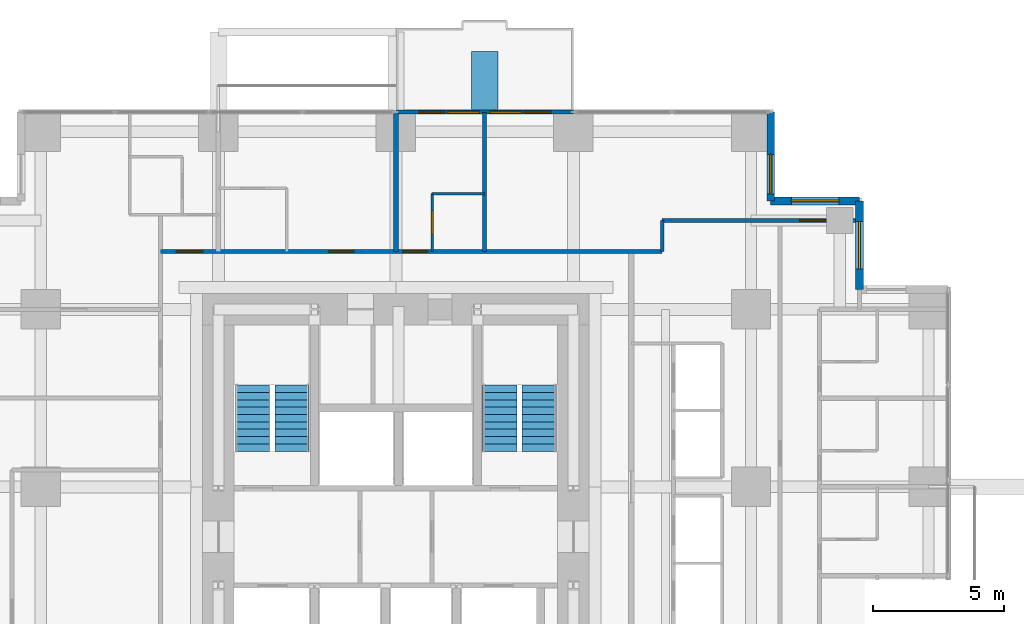
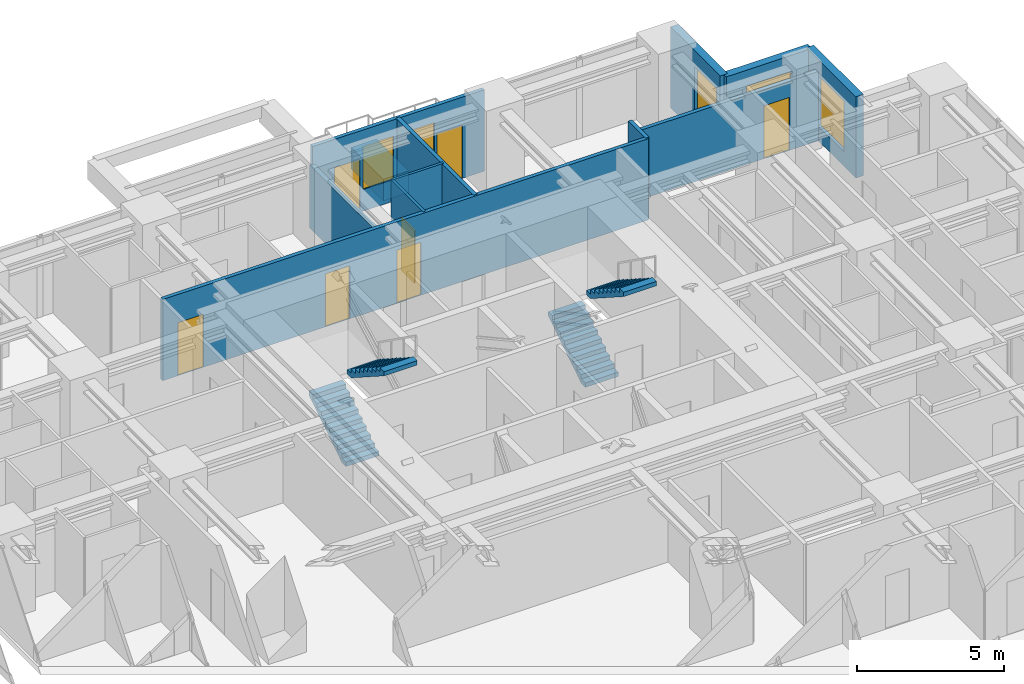
# One storey, part 11 of 12: 12 walls, 7 doors, 5 windows, 4 stair flights, 12 openings, 2 elements without a shape of their own.
"""IFC4 building model written with IfcOpenShell, lengths in metres."""

from ifc_helpers import new_model, si_unit, direction, frame, frame_2d, origin, place, context, subcontext, project, spatial, polyline, rectangle, outline, extrude, material, layer, layer_set, type_object, element, fill, aggregate, save


model = new_model("IFC4")

# Units and contexts
model_context = context("Model", 3, precision=1e-05, world=origin(), true_north=direction((0.0, 1.0)))
body_context = subcontext(model_context, "Body", "Model", "MODEL_VIEW")
ifc_project = project(units=[si_unit("LENGTHUNIT", "METRE"), si_unit("AREAUNIT", "SQUARE_METRE"), si_unit("VOLUMEUNIT", "CUBIC_METRE"), si_unit("PLANEANGLEUNIT", "RADIAN"), si_unit("MASSUNIT", "GRAM", prefix="KILO")], contexts=[model_context])

# Site, building, storey
site_placement = place(None, origin())
site = spatial("IfcSite", under=ifc_project, at=site_placement, CompositionType="ELEMENT")
building_placement = place(site_placement, origin())
building = spatial("IfcBuilding", under=site, at=building_placement, Name="Nyansa Garden Tower", CompositionType="ELEMENT")
storey_placement = place(building_placement, frame((0.0, 0.0, 126.89990234375)))
storey = spatial("IfcBuildingStorey", under=building, at=storey_placement, Name="L34", CompositionType="ELEMENT", Elevation=126.89990234375)

# Wall
ifc_material_1 = material(Name="Dense blockwork, plastered both sides, 55 dB", Category="masonry")
ifc_layer_1 = layer(ifc_material_1, 0.175048828125)
ifc_layer_set_1 = layer_set([ifc_layer_1], Name="Acoustic party wall PW175")
wall_type_1 = type_object("IfcWallType", Name="Acoustic party wall PW175", PredefinedType="PARTITIONING", material=ifc_layer_set_1)
wall_1_placement = place(storey_placement, frame((20.25, 29.199951171875, 0.0), z_axis=(0.0, 0.0, 1.0), x_axis=(0.0, 1.0, 0.0)))
element("IfcWall", 1, at=wall_1_placement, inside=storey, type_object=wall_type_1, Name="Party wall", PredefinedType="PARTITIONING", context=body_context, shape_type="SweptSolid", body=[
    extrude(rectangle(XDim=5.283935546875, YDim=0.175048828125, at=frame_2d((2.64208984375, 0.0))), origin(), (0.0, 0.0, 1.0), 2.610107421875),
])

# Wall, openings, doors, windows
ifc_material_2 = material(Name="Black aluminium framed glazed screen", Category="aluminium")
ifc_layer_2 = layer(ifc_material_2, 0.14990234375)
ifc_layer_set_2 = layer_set([ifc_layer_2], Name="Balcony screen wall BW150")
wall_type_2 = type_object("IfcWallType", Name="Balcony screen wall BW150", PredefinedType="SOLIDWALL", material=ifc_layer_set_2)
wall_2_placement = place(storey_placement, frame((20.25, 34.5, 0.0), z_axis=(0.0, 0.0, 1.0), x_axis=(1.0, 0.0, 0.0)))
wall_2 = element("IfcWall", 2, at=wall_2_placement, inside=storey, type_object=wall_type_2, Name="Glazed screen wall L34 N", PredefinedType="SOLIDWALL", context=body_context, shape_type="SweptSolid", body=[
    extrude(rectangle(XDim=6.75, YDim=0.14990234375, at=frame_2d((3.375, 0.0))), origin(), (0.0, 0.0, 1.0), 3.375),
])
opening_1_placement = place(wall_2_placement, frame((0.862548828125, 0.0, 0.0)))
opening_1 = element("IfcOpeningElement", 3, at=opening_1_placement, cuts=wall_2, Name="Opening D20", PredefinedType="OPENING", context=body_context, shape_type="SweptSolid", body=[
    extrude(rectangle(XDim=1.0, YDim=2.199951171875, at=frame_2d((0.5, 1.10009765625))), frame((0.0, 0.0849609375, 0.0), z_axis=(0.0, -1.0, 0.0), x_axis=(1.0, 0.0, 0.0)), (0.0, 0.0, 1.0), 0.169921875),
])
opening_2_placement = place(wall_2_placement, frame((1.97509765625, 0.0, 0.89990234375)))
opening_2 = element("IfcOpeningElement", 4, at=opening_2_placement, cuts=wall_2, Name="Opening W6", PredefinedType="OPENING", context=body_context, shape_type="SweptSolid", body=[
    extrude(rectangle(XDim=1.199951171875, YDim=1.800048828125, at=frame_2d((0.60009765625, 0.89990234375))), frame((0.0, 0.0849609375, 0.0), z_axis=(0.0, -1.0, 0.0), x_axis=(1.0, 0.0, 0.0)), (0.0, 0.0, 1.0), 0.169921875),
])
opening_3_placement = place(wall_2_placement, frame((4.887451171875, 0.0, 0.0)))
opening_3 = element("IfcOpeningElement", 5, at=opening_3_placement, cuts=wall_2, Name="Opening D20", PredefinedType="OPENING", context=body_context, shape_type="SweptSolid", body=[
    extrude(rectangle(XDim=1.0, YDim=2.199951171875, at=frame_2d((0.5, 1.10009765625))), frame((0.0, 0.0849609375, 0.0), z_axis=(0.0, -1.0, 0.0), x_axis=(1.0, 0.0, 0.0)), (0.0, 0.0, 1.0), 0.169921875),
])
opening_4_placement = place(wall_2_placement, frame((3.574951171875, 0.0, 0.89990234375)))
opening_4 = element("IfcOpeningElement", 6, at=opening_4_placement, cuts=wall_2, Name="Opening W6", PredefinedType="OPENING", context=body_context, shape_type="SweptSolid", body=[
    extrude(rectangle(XDim=1.199951171875, YDim=1.800048828125, at=frame_2d((0.60009765625, 0.89990234375))), frame((0.0, 0.0849609375, 0.0), z_axis=(0.0, -1.0, 0.0), x_axis=(1.0, 0.0, 0.0)), (0.0, 0.0, 1.0), 0.169921875),
])
ifc_material_3 = material(Name="Black aluminium framed glazed door", Category="aluminium")
door_type_1 = type_object("IfcDoorType", Name="Balcony door D20 1000x2200", OperationType="NOTDEFINED", PredefinedType="DOOR", material=ifc_material_3)
door_1_placement = place(opening_1_placement, origin())
door_1 = element("IfcDoor", 7, at=door_1_placement, inside=storey, type_object=door_type_1, Name="Balcony door L34", OperationType="SINGLE_SWING_LEFT", OverallHeight=2.199951171875, OverallWidth=1.0, PredefinedType="DOOR", context=body_context, shape_type="SweptSolid", body=[
    extrude(rectangle(XDim=1.0, YDim=2.199951171875, at=frame_2d((0.5, 1.10009765625))), frame((0.0, 0.02490234375, 0.0), z_axis=(0.0, -1.0, 0.0), x_axis=(1.0, 0.0, 0.0)), (0.0, 0.0, 1.0), 0.050048828125),
])
fill(opening_1, door_1)
door_2_placement = place(opening_3_placement, origin())
door_2 = element("IfcDoor", 8, at=door_2_placement, inside=storey, type_object=door_type_1, Name="Balcony door L34", OperationType="SINGLE_SWING_RIGHT", OverallHeight=2.199951171875, OverallWidth=1.0, PredefinedType="DOOR", context=body_context, shape_type="SweptSolid", body=[
    extrude(rectangle(XDim=1.0, YDim=2.199951171875, at=frame_2d((0.5, 1.10009765625))), frame((0.0, 0.02490234375, 0.0), z_axis=(0.0, -1.0, 0.0), x_axis=(1.0, 0.0, 0.0)), (0.0, 0.0, 1.0), 0.050048828125),
])
fill(opening_3, door_2)
ifc_material_4 = material(Name="Black aluminium frame, dark tinted double glazing", Category="aluminium")
window_type_1 = type_object("IfcWindowType", Name="Balcony window W6 1200x1800", PartitioningType="SINGLE_PANEL", PredefinedType="WINDOW", material=ifc_material_4)
window_1_placement = place(opening_2_placement, origin())
window_1 = element("IfcWindow", 9, at=window_1_placement, inside=storey, type_object=window_type_1, Name="Window L34", OverallHeight=1.800048828125, OverallWidth=1.199951171875, PartitioningType="SINGLE_PANEL", PredefinedType="WINDOW", context=body_context, shape_type="SweptSolid", body=[
    extrude(rectangle(XDim=1.199951171875, YDim=1.800048828125, at=frame_2d((0.60009765625, 0.89990234375))), frame((0.0, 0.030029296875, 0.0), z_axis=(0.0, -1.0, 0.0), x_axis=(1.0, 0.0, 0.0)), (0.0, 0.0, 1.0), 0.06005859375),
])
fill(opening_2, window_1)
window_2_placement = place(opening_4_placement, origin())
window_2 = element("IfcWindow", 10, at=window_2_placement, inside=storey, type_object=window_type_1, Name="Window L34", OverallHeight=1.800048828125, OverallWidth=1.199951171875, PartitioningType="SINGLE_PANEL", PredefinedType="WINDOW", context=body_context, shape_type="SweptSolid", body=[
    extrude(rectangle(XDim=1.199951171875, YDim=1.800048828125, at=frame_2d((0.60009765625, 0.89990234375))), frame((0.0, 0.030029296875, 0.0), z_axis=(0.0, -1.0, 0.0), x_axis=(1.0, 0.0, 0.0)), (0.0, 0.0, 1.0), 0.06005859375),
])
fill(opening_4, window_2)

# Wall, openings, doors
ifc_material_5 = material(Name="Blockwork, plastered both sides", Category="masonry")
ifc_layer_3 = layer(ifc_material_5, 0.14990234375)
ifc_layer_set_3 = layer_set([ifc_layer_3], Name="Partition PW150")
wall_type_3 = type_object("IfcWallType", Name="Partition PW150", PredefinedType="PARTITIONING", material=ifc_layer_set_3)
wall_3_placement = place(storey_placement, frame((11.300048828125, 29.199951171875, 0.0), z_axis=(0.0, 0.0, 1.0), x_axis=(1.0, 0.0, 0.0)))
wall_3 = element("IfcWall", 11, at=wall_3_placement, inside=storey, type_object=wall_type_3, Name="Partition", PredefinedType="PARTITIONING", context=body_context, shape_type="SweptSolid", body=[
    extrude(rectangle(XDim=19.074951171875, YDim=0.14990234375, at=frame_2d((9.53759765625, 0.0))), origin(), (0.0, 0.0, 1.0), 3.375),
])
opening_5_placement = place(wall_3_placement, frame((6.39990234375, 0.0, 0.0)))
opening_5 = element("IfcOpeningElement", 12, at=opening_5_placement, cuts=wall_3, Name="Opening D14", PredefinedType="OPENING", context=body_context, shape_type="SweptSolid", body=[
    extrude(rectangle(XDim=0.949951171875, YDim=2.199951171875, at=frame_2d((0.47509765625, 1.10009765625))), frame((0.0, 0.0849609375, 0.0), z_axis=(0.0, -1.0, 0.0), x_axis=(1.0, 0.0, 0.0)), (0.0, 0.0, 1.0), 0.169921875),
])
opening_6_placement = place(wall_3_placement, frame((9.199951171875, 0.0, 0.0)))
opening_6 = element("IfcOpeningElement", 13, at=opening_6_placement, cuts=wall_3, Name="Opening D14", PredefinedType="OPENING", context=body_context, shape_type="SweptSolid", body=[
    extrude(rectangle(XDim=0.949951171875, YDim=2.199951171875, at=frame_2d((0.47509765625, 1.10009765625))), frame((0.0, 0.0849609375, 0.0), z_axis=(0.0, -1.0, 0.0), x_axis=(1.0, 0.0, 0.0)), (0.0, 0.0, 1.0), 0.169921875),
])
opening_7_placement = place(wall_3_placement, frame((0.60009765625, 0.0, 0.0)))
opening_7 = element("IfcOpeningElement", 14, at=opening_7_placement, cuts=wall_3, Name="Opening D03", PredefinedType="OPENING", context=body_context, shape_type="SweptSolid", body=[
    extrude(rectangle(XDim=1.0, YDim=2.199951171875, at=frame_2d((0.5, 1.10009765625))), frame((0.0, 0.0849609375, 0.0), z_axis=(0.0, -1.0, 0.0), x_axis=(1.0, 0.0, 0.0)), (0.0, 0.0, 1.0), 0.169921875),
])
ifc_material_6 = material(Name="Timber flush door, 60 minute fire resisting", Category="wood")
door_type_2 = type_object("IfcDoorType", Name="Cluster entrance door D03 1000x2200", OperationType="SINGLE_SWING_LEFT", PredefinedType="DOOR", material=ifc_material_6)
door_3_placement = place(opening_7_placement, origin())
door_3 = element("IfcDoor", 15, at=door_3_placement, inside=storey, type_object=door_type_2, Name="Door L34-050", OperationType="SINGLE_SWING_LEFT", OverallHeight=2.199951171875, OverallWidth=1.0, PredefinedType="DOOR", context=body_context, shape_type="SweptSolid", body=[
    extrude(rectangle(XDim=1.0, YDim=2.199951171875, at=frame_2d((0.5, 1.10009765625))), frame((0.0, 0.02490234375, 0.0), z_axis=(0.0, -1.0, 0.0), x_axis=(1.0, 0.0, 0.0)), (0.0, 0.0, 1.0), 0.050048828125),
])
fill(opening_7, door_3)
ifc_material_7 = material(Name="Timber flush door, 60 minute fire resisting, self-closing", Category="wood")
door_type_3 = type_object("IfcDoorType", Name="Studio entrance door D14 950x2200", OperationType="SINGLE_SWING_LEFT", PredefinedType="DOOR", material=ifc_material_7)
door_4_placement = place(opening_5_placement, origin())
door_4 = element("IfcDoor", 16, at=door_4_placement, inside=storey, type_object=door_type_3, Name="Door L34-044", OperationType="SINGLE_SWING_LEFT", OverallHeight=2.199951171875, OverallWidth=0.949951171875, PredefinedType="DOOR", context=body_context, shape_type="SweptSolid", body=[
    extrude(rectangle(XDim=0.949951171875, YDim=2.199951171875, at=frame_2d((0.47509765625, 1.10009765625))), frame((0.0, 0.02490234375, 0.0), z_axis=(0.0, -1.0, 0.0), x_axis=(1.0, 0.0, 0.0)), (0.0, 0.0, 1.0), 0.050048828125),
])
fill(opening_5, door_4)
door_5_placement = place(opening_6_placement, origin())
door_5 = element("IfcDoor", 17, at=door_5_placement, inside=storey, type_object=door_type_3, Name="Door L34-048", OperationType="SINGLE_SWING_LEFT", OverallHeight=2.199951171875, OverallWidth=0.949951171875, PredefinedType="DOOR", context=body_context, shape_type="SweptSolid", body=[
    extrude(rectangle(XDim=0.949951171875, YDim=2.199951171875, at=frame_2d((0.47509765625, 1.10009765625))), frame((0.0, 0.02490234375, 0.0), z_axis=(0.0, -1.0, 0.0), x_axis=(1.0, 0.0, 0.0)), (0.0, 0.0, 1.0), 0.050048828125),
])
fill(opening_6, door_5)

# Walls
wall_4_placement = place(storey_placement, frame((23.625, 29.199951171875, 0.0), z_axis=(0.0, 0.0, 1.0), x_axis=(0.0, 1.0, 0.0)))
element("IfcWall", 18, at=wall_4_placement, inside=storey, type_object=wall_type_3, Name="Partition", PredefinedType="PARTITIONING", context=body_context, shape_type="SweptSolid", body=[
    extrude(rectangle(XDim=5.283935546875, YDim=0.14990234375, at=frame_2d((2.64208984375, 0.0))), origin(), (0.0, 0.0, 1.0), 3.375),
])
wall_5_placement = place(storey_placement, frame((30.375, 29.199951171875, 0.0), z_axis=(0.0, 0.0, 1.0), x_axis=(0.0, 1.0, 0.0)))
element("IfcWall", 19, at=wall_5_placement, inside=storey, type_object=wall_type_3, Name="Partition", PredefinedType="PARTITIONING", context=body_context, shape_type="SweptSolid", body=[
    extrude(rectangle(XDim=1.175048828125, YDim=0.14990234375, at=frame_2d((0.58740234375, 0.0))), origin(), (0.0, 0.0, 1.0), 3.375),
])

# Wall, opening, door
wall_6_placement = place(storey_placement, frame((30.375, 30.375, 0.0), z_axis=(0.0, 0.0, 1.0), x_axis=(1.0, 0.0, 0.0)))
wall_6 = element("IfcWall", 20, at=wall_6_placement, inside=storey, type_object=wall_type_3, Name="Partition", PredefinedType="PARTITIONING", context=body_context, shape_type="SweptSolid", body=[
    extrude(rectangle(XDim=7.35009765625, YDim=0.14990234375, at=frame_2d((3.675048828125, 0.0))), origin(), (0.0, 0.0, 1.0), 2.877197265625),
])
opening_8_placement = place(wall_6_placement, frame((5.22509765625, 0.0, 0.0)))
opening_8 = element("IfcOpeningElement", 21, at=opening_8_placement, cuts=wall_6, Name="Opening D03", PredefinedType="OPENING", context=body_context, shape_type="SweptSolid", body=[
    extrude(rectangle(XDim=1.0, YDim=2.199951171875, at=frame_2d((0.5, 1.10009765625))), frame((0.0, 0.0849609375, 0.0), z_axis=(0.0, -1.0, 0.0), x_axis=(1.0, 0.0, 0.0)), (0.0, 0.0, 1.0), 0.169921875),
])
door_6_placement = place(opening_8_placement, origin())
door_6 = element("IfcDoor", 22, at=door_6_placement, inside=storey, type_object=door_type_2, Name="Door L34-043", OperationType="SINGLE_SWING_LEFT", OverallHeight=2.199951171875, OverallWidth=1.0, PredefinedType="DOOR", context=body_context, shape_type="SweptSolid", body=[
    extrude(rectangle(XDim=1.0, YDim=2.199951171875, at=frame_2d((0.5, 1.10009765625))), frame((0.0, 0.02490234375, 0.0), z_axis=(0.0, -1.0, 0.0), x_axis=(1.0, 0.0, 0.0)), (0.0, 0.0, 1.0), 0.050048828125),
])
fill(opening_8, door_6)

# Wall, opening, window
ifc_material_8 = material(Name="Turquoise glazed tile on concrete blockwork", Category="masonry")
ifc_layer_4 = layer(ifc_material_8, 0.300048828125)
ifc_layer_set_4 = layer_set([ifc_layer_4], Name="Tiled corner wall TW300")
wall_type_4 = type_object("IfcWallType", Name="Tiled corner wall TW300", PredefinedType="SOLIDWALL", material=ifc_layer_set_4)
wall_7_placement = place(storey_placement, frame((37.875, 27.75, 0.0), z_axis=(0.0, 0.0, 1.0), x_axis=(0.0, 1.0, 0.0)))
wall_7 = element("IfcWall", 23, at=wall_7_placement, inside=storey, type_object=wall_type_4, Name="Tiled corner wall L34", PredefinedType="SOLIDWALL", context=body_context, shape_type="SweptSolid", body=[
    extrude(rectangle(XDim=3.375, YDim=0.300048828125, at=frame_2d((1.6875, 0.0))), origin(), (0.0, 0.0, 1.0), 3.375),
])
opening_9_placement = place(wall_7_placement, frame((0.78759765625, 0.0, 0.60009765625)))
opening_9 = element("IfcOpeningElement", 24, at=opening_9_placement, cuts=wall_7, Name="Opening W2", PredefinedType="OPENING", context=body_context, shape_type="SweptSolid", body=[
    extrude(rectangle(XDim=1.800048828125, YDim=2.10009765625, at=frame_2d((0.89990234375, 1.050048828125))), frame((0.0, 0.159912109375, 0.0), z_axis=(0.0, -1.0, 0.0), x_axis=(1.0, 0.0, 0.0)), (0.0, 0.0, 1.0), 0.320068359375),
])
ifc_material_9 = material(Name="Black aluminium frame, dark tinted double glazing", Category="aluminium")
window_type_2 = type_object("IfcWindowType", Name="Window W2 1800x2100", PartitioningType="SINGLE_PANEL", PredefinedType="WINDOW", material=ifc_material_9)
window_3_placement = place(opening_9_placement, origin())
window_3 = element("IfcWindow", 25, at=window_3_placement, inside=storey, type_object=window_type_2, Name="Corner window L34", OverallHeight=2.10009765625, OverallWidth=1.800048828125, PartitioningType="SINGLE_PANEL", PredefinedType="WINDOW", context=body_context, shape_type="SweptSolid", body=[
    extrude(rectangle(XDim=1.800048828125, YDim=2.10009765625, at=frame_2d((0.89990234375, 1.050048828125))), frame((0.0, 0.030029296875, 0.0), z_axis=(0.0, -1.0, 0.0), x_axis=(1.0, 0.0, 0.0)), (0.0, 0.0, 1.0), 0.06005859375),
])
fill(opening_9, window_3)

wall_8_placement = place(storey_placement, frame((37.875, 31.125, 0.0), z_axis=(0.0, 0.0, 1.0), x_axis=(-1.0, 0.0, 0.0)))
wall_8 = element("IfcWall", 26, at=wall_8_placement, inside=storey, type_object=wall_type_4, Name="Tiled corner wall L34", PredefinedType="SOLIDWALL", context=body_context, shape_type="SweptSolid", body=[
    extrude(rectangle(XDim=3.375, YDim=0.300048828125, at=frame_2d((1.6875, 0.0))), origin(), (0.0, 0.0, 1.0), 3.375),
])
opening_10_placement = place(wall_8_placement, frame((0.78759765625, 0.0, 0.60009765625)))
opening_10 = element("IfcOpeningElement", 27, at=opening_10_placement, cuts=wall_8, Name="Opening W2", PredefinedType="OPENING", context=body_context, shape_type="SweptSolid", body=[
    extrude(rectangle(XDim=1.800048828125, YDim=2.10009765625, at=frame_2d((0.89990234375, 1.050048828125))), frame((0.0, 0.159912109375, 0.0), z_axis=(0.0, -1.0, 0.0), x_axis=(1.0, 0.0, 0.0)), (0.0, 0.0, 1.0), 0.320068359375),
])
window_4_placement = place(opening_10_placement, origin())
window_4 = element("IfcWindow", 28, at=window_4_placement, inside=storey, type_object=window_type_2, Name="Corner window L34", OverallHeight=2.10009765625, OverallWidth=1.800048828125, PartitioningType="SINGLE_PANEL", PredefinedType="WINDOW", context=body_context, shape_type="SweptSolid", body=[
    extrude(rectangle(XDim=1.800048828125, YDim=2.10009765625, at=frame_2d((0.89990234375, 1.050048828125))), frame((0.0, 0.030029296875, 0.0), z_axis=(0.0, -1.0, 0.0), x_axis=(1.0, 0.0, 0.0)), (0.0, 0.0, 1.0), 0.06005859375),
])
fill(opening_10, window_4)

wall_9_placement = place(storey_placement, frame((34.5, 31.125, 0.0), z_axis=(0.0, 0.0, 1.0), x_axis=(0.0, 1.0, 0.0)))
wall_9 = element("IfcWall", 29, at=wall_9_placement, inside=storey, type_object=wall_type_4, Name="Tiled corner wall L34", PredefinedType="SOLIDWALL", context=body_context, shape_type="SweptSolid", body=[
    extrude(rectangle(XDim=3.375, YDim=0.300048828125, at=frame_2d((1.6875, 0.0))), origin(), (0.0, 0.0, 1.0), 3.375),
])
opening_11_placement = place(wall_9_placement, frame((0.267578125, 0.0, 0.89990234375)))
opening_11 = element("IfcOpeningElement", 30, at=opening_11_placement, cuts=wall_9, Name="Opening W1", PredefinedType="OPENING", context=body_context, shape_type="SweptSolid", body=[
    extrude(rectangle(XDim=1.5, YDim=1.800048828125, at=frame_2d((0.75, 0.89990234375))), frame((0.0, 0.159912109375, 0.0), z_axis=(0.0, -1.0, 0.0), x_axis=(1.0, 0.0, 0.0)), (0.0, 0.0, 1.0), 0.320068359375),
])
ifc_material_10 = material(Name="Black aluminium frame, dark tinted double glazing", Category="aluminium")
window_type_3 = type_object("IfcWindowType", Name="Window W1 1500x1800", PartitioningType="SINGLE_PANEL", PredefinedType="WINDOW", material=ifc_material_10)
window_5_placement = place(opening_11_placement, origin())
window_5 = element("IfcWindow", 31, at=window_5_placement, inside=storey, type_object=window_type_3, Name="Corner window L34", OverallHeight=1.800048828125, OverallWidth=1.5, PartitioningType="SINGLE_PANEL", PredefinedType="WINDOW", context=body_context, shape_type="SweptSolid", body=[
    extrude(rectangle(XDim=1.5, YDim=1.800048828125, at=frame_2d((0.75, 0.89990234375))), frame((0.0, 0.030029296875, 0.0), z_axis=(0.0, -1.0, 0.0), x_axis=(1.0, 0.0, 0.0)), (0.0, 0.0, 1.0), 0.06005859375),
])
fill(opening_11, window_5)

# Wall
ifc_material_11 = material(Name="Concrete C40/50 planter, waterproofed", Category="concrete")
ifc_layer_5 = layer(ifc_material_11, 1.0)
ifc_layer_set_5 = layer_set([ifc_layer_5], Name="Tree planter TP1")
wall_type_5 = type_object("IfcWallType", Name="Tree planter TP1", PredefinedType="USERDEFINED", material=ifc_layer_set_5)
wall_10_placement = place(storey_placement, frame((23.625, 34.60009765625, 0.0), z_axis=(0.0, 0.0, 1.0), x_axis=(0.0, 1.0, 0.0)))
element("IfcWall", 32, at=wall_10_placement, inside=storey, type_object=wall_type_5, Name="Tree planter L34", ObjectType="TREE PLANTER", PredefinedType="USERDEFINED", context=body_context, shape_type="SweptSolid", body=[
    extrude(rectangle(XDim=2.199951171875, YDim=1.0, at=frame_2d((1.10009765625, 0.0))), origin(), (0.0, 0.0, 1.0), 0.900146484375),
])

# Wall, opening, door
ifc_material_12 = material(Name="Moisture resistant board on steel studs, tiled", Category="steel")
ifc_layer_6 = layer(ifc_material_12, 0.10009765625)
ifc_layer_set_6 = layer_set([ifc_layer_6], Name="Wet wall PW100")
wall_type_6 = type_object("IfcWallType", Name="Wet wall PW100", PredefinedType="PARTITIONING", material=ifc_layer_set_6)
wall_11_placement = place(storey_placement, frame((21.625, 29.199951171875, 0.0), z_axis=(0.0, 0.0, 1.0), x_axis=(0.0, 1.0, 0.0)))
wall_11 = element("IfcWall", 33, at=wall_11_placement, inside=storey, type_object=wall_type_6, Name="Wet wall", PredefinedType="PARTITIONING", context=body_context, shape_type="SweptSolid", body=[
    extrude(rectangle(XDim=2.199951171875, YDim=0.10009765625, at=frame_2d((1.10009765625, 0.0))), origin(), (0.0, 0.0, 1.0), 3.375),
])
opening_12_placement = place(wall_11_placement, frame((0.64990234375, 0.0, 0.0)))
opening_12 = element("IfcOpeningElement", 34, at=opening_12_placement, cuts=wall_11, Name="Opening D02", PredefinedType="OPENING", context=body_context, shape_type="SweptSolid", body=[
    extrude(rectangle(XDim=0.89990234375, YDim=2.199951171875, at=frame_2d((0.449951171875, 1.10009765625))), frame((0.0, 0.06005859375, 0.0), z_axis=(0.0, -1.0, 0.0), x_axis=(1.0, 0.0, 0.0)), (0.0, 0.0, 1.0), 0.1201171875),
])
ifc_material_13 = material(Name="Timber flush door", Category="wood")
door_type_4 = type_object("IfcDoorType", Name="En-suite door D02 900x2200", OperationType="SINGLE_SWING_RIGHT", PredefinedType="DOOR", material=ifc_material_13)
door_7_placement = place(opening_12_placement, origin())
door_7 = element("IfcDoor", 35, at=door_7_placement, inside=storey, type_object=door_type_4, Name="Door L34-049", OperationType="SINGLE_SWING_RIGHT", OverallHeight=2.199951171875, OverallWidth=0.89990234375, PredefinedType="DOOR", context=body_context, shape_type="SweptSolid", body=[
    extrude(rectangle(XDim=0.89990234375, YDim=2.199951171875, at=frame_2d((0.449951171875, 1.10009765625))), frame((0.0, 0.02490234375, 0.0), z_axis=(0.0, -1.0, 0.0), x_axis=(1.0, 0.0, 0.0)), (0.0, 0.0, 1.0), 0.050048828125),
])
fill(opening_12, door_7)

# Wall
wall_12_placement = place(storey_placement, frame((21.625, 31.39990234375, 0.0), z_axis=(0.0, 0.0, 1.0), x_axis=(1.0, 0.0, 0.0)))
element("IfcWall", 36, at=wall_12_placement, inside=storey, type_object=wall_type_6, Name="Wet wall", PredefinedType="PARTITIONING", context=body_context, shape_type="SweptSolid", body=[
    extrude(rectangle(XDim=2.0, YDim=0.10009765625, at=frame_2d((1.0, 0.0))), origin(), (0.0, 0.0, 1.0), 3.375),
])

# Stair, stair flights
ifc_material_14 = material(Name="Precast concrete C40/50", Category="concrete")
stair_type_1 = type_object("IfcStairType", Name="Stair S1 180x280", PredefinedType="HALF_TURN_STAIR", material=ifc_material_14)
stair_1_placement = place(storey_placement, origin())
stair_1 = element("IfcStair", 37, at=stair_1_placement, inside=storey, type_object=stair_type_1, Name="Stair S1 L34", PredefinedType="HALF_TURN_STAIR")
ifc_material_15 = material(Name="Precast concrete C40/50", Category="concrete")
stair_flight_type_1 = type_object("IfcStairFlightType", Name="Stair flight S1 180x280x10", PredefinedType="STRAIGHT", material=ifc_material_15)
stair_flight_1_placement = place(storey_placement, frame((14.800048828125, 21.60009765625, 0.0), z_axis=(0.0, 0.0, 1.0), x_axis=(0.0, 1.0, 0.0)))
stair_flight_1 = element("IfcStairFlight", 38, at=stair_flight_1_placement, type_object=stair_flight_type_1, Name="S1 flight 1", NumberOfRisers=10, NumberOfTreads=9, PredefinedType="STRAIGHT", RiserHeight=0.18, TreadLength=0.28, context=body_context, shape_type="SweptSolid", body=[
    extrude(outline(polyline([(0.0, 0.0), (0.0, 0.179931640625), (0.280029296875, 0.179931640625), (0.280029296875, 0.360107421875), (0.56005859375, 0.360107421875), (0.56005859375, 0.5400390625), (0.840087890625, 0.5400390625), (0.840087890625, 0.719970703125), (1.1201171875, 0.719970703125), (1.1201171875, 0.89990234375), (1.39990234375, 0.89990234375), (1.39990234375, 1.080078125), (1.679931640625, 1.080078125), (1.679931640625, 1.260009765625), (1.9599609375, 1.260009765625), (1.9599609375, 1.43994140625), (2.239990234375, 1.43994140625), (2.239990234375, 1.6201171875), (2.52001953125, 1.6201171875), (2.52001953125, 1.800048828125), (2.52001953125, 1.44189453125), (0.277099609375, 0.0), (0.0, 0.0)])), frame((0.0, 0.64990234375, 0.0), z_axis=(0.0, -1.0, 0.0), x_axis=(1.0, 0.0, 0.0)), (0.0, 0.0, 1.0), 1.300048828125),
])
stair_flight_2_placement = place(storey_placement, frame((16.300048828125, 24.1201171875, 1.800048828125), z_axis=(0.0, 0.0, 1.0), x_axis=(0.0, -1.0, 0.0)))
stair_flight_2 = element("IfcStairFlight", 39, at=stair_flight_2_placement, type_object=stair_flight_type_1, Name="S1 flight 2", NumberOfRisers=10, NumberOfTreads=9, PredefinedType="STRAIGHT", RiserHeight=0.18, TreadLength=0.28, context=body_context, shape_type="SweptSolid", body=[
    extrude(outline(polyline([(0.0, 0.0), (0.0, 0.179931640625), (0.280029296875, 0.179931640625), (0.280029296875, 0.360107421875), (0.56005859375, 0.360107421875), (0.56005859375, 0.5400390625), (0.840087890625, 0.5400390625), (0.840087890625, 0.719970703125), (1.1201171875, 0.719970703125), (1.1201171875, 0.89990234375), (1.39990234375, 0.89990234375), (1.39990234375, 1.080078125), (1.679931640625, 1.080078125), (1.679931640625, 1.260009765625), (1.9599609375, 1.260009765625), (1.9599609375, 1.43994140625), (2.239990234375, 1.43994140625), (2.239990234375, 1.6201171875), (2.52001953125, 1.6201171875), (2.52001953125, 1.800048828125), (2.52001953125, 1.44189453125), (0.277099609375, 0.0), (0.0, 0.0)])), frame((0.0, 0.64990234375, 0.0), z_axis=(0.0, -1.0, 0.0), x_axis=(1.0, 0.0, 0.0)), (0.0, 0.0, 1.0), 1.300048828125),
])
aggregate(stair_1, [stair_flight_1, stair_flight_2])

ifc_material_16 = material(Name="Precast concrete C40/50", Category="concrete")
stair_type_2 = type_object("IfcStairType", Name="Stair S2 180x280", PredefinedType="HALF_TURN_STAIR", material=ifc_material_16)
stair_2_placement = place(storey_placement, origin())
stair_2 = element("IfcStair", 40, at=stair_2_placement, inside=storey, type_object=stair_type_2, Name="Stair S2 L34", PredefinedType="HALF_TURN_STAIR")
ifc_material_17 = material(Name="Precast concrete C40/50", Category="concrete")
stair_flight_type_2 = type_object("IfcStairFlightType", Name="Stair flight S2 180x280x10", PredefinedType="STRAIGHT", material=ifc_material_17)
stair_flight_3_placement = place(storey_placement, frame((24.199951171875, 21.60009765625, 0.0), z_axis=(0.0, 0.0, 1.0), x_axis=(0.0, 1.0, 0.0)))
stair_flight_3 = element("IfcStairFlight", 41, at=stair_flight_3_placement, type_object=stair_flight_type_2, Name="S2 flight 1", NumberOfRisers=10, NumberOfTreads=9, PredefinedType="STRAIGHT", RiserHeight=0.18, TreadLength=0.28, context=body_context, shape_type="SweptSolid", body=[
    extrude(outline(polyline([(0.0, 0.0), (0.0, 0.179931640625), (0.280029296875, 0.179931640625), (0.280029296875, 0.360107421875), (0.56005859375, 0.360107421875), (0.56005859375, 0.5400390625), (0.840087890625, 0.5400390625), (0.840087890625, 0.719970703125), (1.1201171875, 0.719970703125), (1.1201171875, 0.89990234375), (1.39990234375, 0.89990234375), (1.39990234375, 1.080078125), (1.679931640625, 1.080078125), (1.679931640625, 1.260009765625), (1.9599609375, 1.260009765625), (1.9599609375, 1.43994140625), (2.239990234375, 1.43994140625), (2.239990234375, 1.6201171875), (2.52001953125, 1.6201171875), (2.52001953125, 1.800048828125), (2.52001953125, 1.44189453125), (0.277099609375, 0.0), (0.0, 0.0)])), frame((0.0, 0.64990234375, 0.0), z_axis=(0.0, -1.0, 0.0), x_axis=(1.0, 0.0, 0.0)), (0.0, 0.0, 1.0), 1.300048828125),
])
stair_flight_4_placement = place(storey_placement, frame((25.699951171875, 24.1201171875, 1.800048828125), z_axis=(0.0, 0.0, 1.0), x_axis=(0.0, -1.0, 0.0)))
stair_flight_4 = element("IfcStairFlight", 42, at=stair_flight_4_placement, type_object=stair_flight_type_2, Name="S2 flight 2", NumberOfRisers=10, NumberOfTreads=9, PredefinedType="STRAIGHT", RiserHeight=0.18, TreadLength=0.28, context=body_context, shape_type="SweptSolid", body=[
    extrude(outline(polyline([(0.0, 0.0), (0.0, 0.179931640625), (0.280029296875, 0.179931640625), (0.280029296875, 0.360107421875), (0.56005859375, 0.360107421875), (0.56005859375, 0.5400390625), (0.840087890625, 0.5400390625), (0.840087890625, 0.719970703125), (1.1201171875, 0.719970703125), (1.1201171875, 0.89990234375), (1.39990234375, 0.89990234375), (1.39990234375, 1.080078125), (1.679931640625, 1.080078125), (1.679931640625, 1.260009765625), (1.9599609375, 1.260009765625), (1.9599609375, 1.43994140625), (2.239990234375, 1.43994140625), (2.239990234375, 1.6201171875), (2.52001953125, 1.6201171875), (2.52001953125, 1.800048828125), (2.52001953125, 1.44189453125), (0.277099609375, 0.0), (0.0, 0.0)])), frame((0.0, 0.64990234375, 0.0), z_axis=(0.0, -1.0, 0.0), x_axis=(1.0, 0.0, 0.0)), (0.0, 0.0, 1.0), 1.300048828125),
])
aggregate(stair_2, [stair_flight_3, stair_flight_4])

save(model, "model.ifc")
